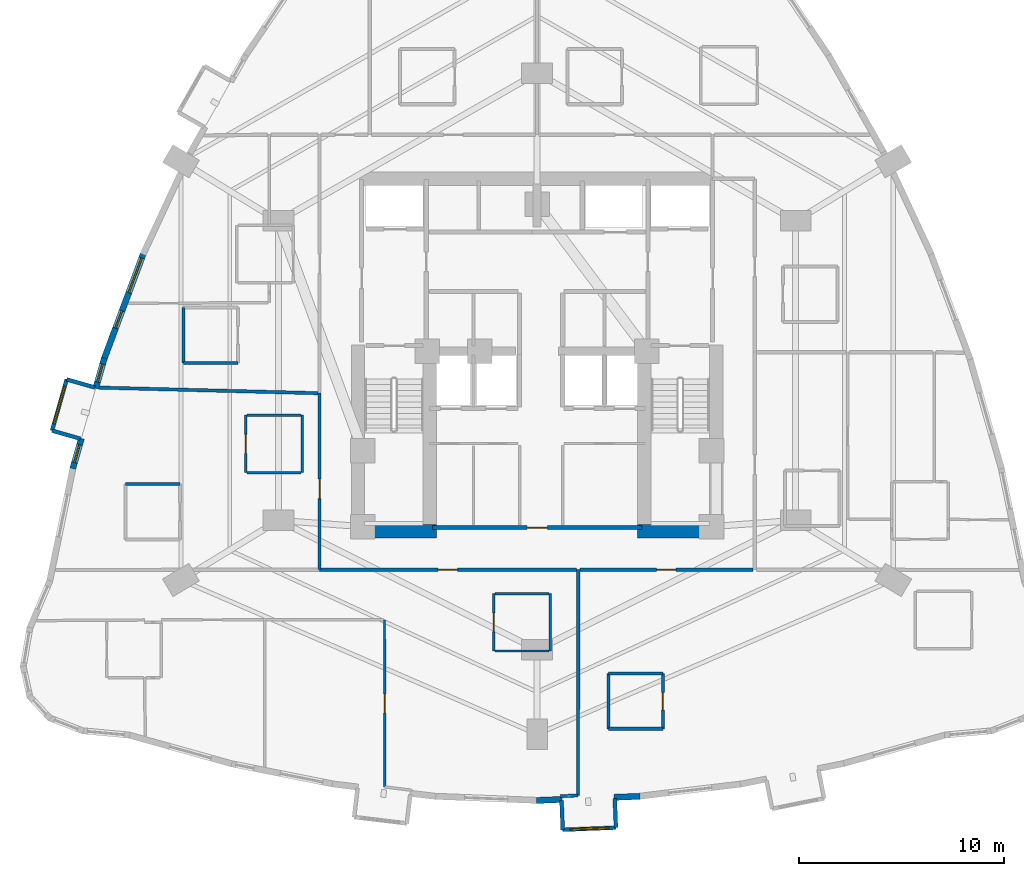
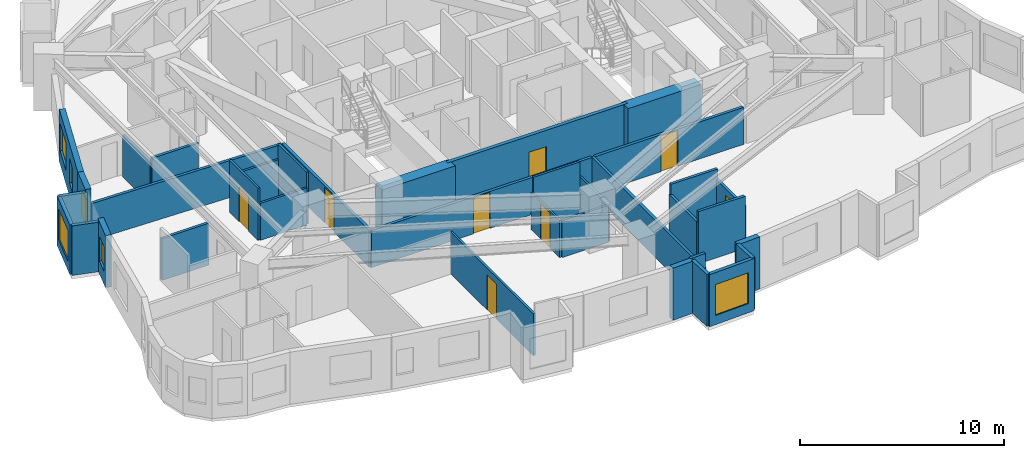
# One storey, part 9 of 15: 36 walls, 8 doors, 6 windows, 14 openings.
"""IFC4 building model written with IfcOpenShell, lengths in metres."""

from ifc_helpers import new_model, si_unit, direction, frame, frame_2d, origin, place, context, subcontext, project, spatial, rectangle, extrude, material, layer, layer_set, type_object, element, fill, save


model = new_model("IFC4")

# Units and contexts
model_context = context("Model", 3, precision=1e-05, world=origin(), true_north=direction((0.0, 1.0)))
body_context = subcontext(model_context, "Body", "Model", "MODEL_VIEW")
ifc_project = project(units=[si_unit("LENGTHUNIT", "METRE"), si_unit("AREAUNIT", "SQUARE_METRE"), si_unit("VOLUMEUNIT", "CUBIC_METRE"), si_unit("PLANEANGLEUNIT", "RADIAN"), si_unit("MASSUNIT", "GRAM", prefix="KILO")], contexts=[model_context])

# Site, building, storey
site_placement = place(None, origin())
site = spatial("IfcSite", under=ifc_project, at=site_placement, CompositionType="ELEMENT")
building_placement = place(site_placement, origin())
building = spatial("IfcBuilding", under=site, at=building_placement, Name="Miruveldt Soraemaru", CompositionType="ELEMENT")
storey_placement = place(building_placement, frame((0.0, 0.0, 36.0)))
storey = spatial("IfcBuildingStorey", under=building, at=storey_placement, Name="L09", CompositionType="ELEMENT", Elevation=36.0)

# Walls
ifc_material_1 = material(Name="White powder-coated aluminium EN AW-6060 T6", Category="aluminium")
ifc_layer_1 = layer(ifc_material_1, 0.18994140625, Name="White powder-coated aluminium EN AW-6060 T6", Category="aluminium")
ifc_layer_set_1 = layer_set([ifc_layer_1], Name="White powder-coated aluminium EN AW-6060 T6")
wall_type_1 = type_object("IfcWallType", Name="WALL-BAY-ALU190", PredefinedType="SOLIDWALL", material=ifc_layer_set_1)
wall_1_placement = place(storey_placement, frame((22.44482421875, 42.28369140625, 0.0), z_axis=(0.0, 0.0, 1.0), x_axis=(-0.961407497968, 0.27512837522, 0.0)))
element("IfcWall", 1, at=wall_1_placement, inside=storey, type_object=wall_type_1, Name="L09 Bay Window Side Cheek 3L", PredefinedType="SOLIDWALL", context=body_context, shape_type="SweptSolid", body=[
    extrude(rectangle(XDim=1.425048828125, YDim=0.18994140625, at=frame_2d((0.71240234375, 0.0))), origin(), (0.0, 0.0, 1.0), 2.97509765625),
])
wall_2_placement = place(storey_placement, frame((20.35986328125, 40.17578125, 0.0), z_axis=(0.0, 0.0, 1.0), x_axis=(0.961439844578, -0.275015318223, 0.0)))
element("IfcWall", 2, at=wall_2_placement, inside=storey, type_object=wall_type_1, Name="L09 Bay Window Side Cheek 3R", PredefinedType="SOLIDWALL", context=body_context, shape_type="SweptSolid", body=[
    extrude(rectangle(XDim=1.4248046875, YDim=0.18994140625, at=frame_2d((0.71240234375, 0.0))), origin(), (0.0, 0.0, 1.0), 2.97509765625),
])

# Wall, opening, window
wall_3_placement = place(storey_placement, frame((21.07470703125, 42.67578125, 0.0), z_axis=(0.0, 0.0, 1.0), x_axis=(-0.274919538046, -0.961467236883, 0.0)))
wall_3 = element("IfcWall", 3, at=wall_3_placement, inside=storey, type_object=wall_type_1, Name="L09 Bay Window Front Frame 3", PredefinedType="SOLIDWALL", context=body_context, shape_type="SweptSolid", body=[
    extrude(rectangle(XDim=2.60009765625, YDim=0.18994140625, at=frame_2d((1.300048828125, 0.0))), origin(), (0.0, 0.0, 1.0), 2.97509765625),
])
opening_1_placement = place(wall_3_placement, frame((0.35009765625, 0.0, 0.550048828125)))
opening_1 = element("IfcOpeningElement", 4, at=opening_1_placement, cuts=wall_3, Name="Opening WN-6", PredefinedType="OPENING", context=body_context, shape_type="SweptSolid", body=[
    extrude(rectangle(XDim=1.89990234375, YDim=1.85009765625, at=frame_2d((0.949951171875, 0.925048828125))), frame((0.0, 0.10498046875, 0.0), z_axis=(0.0, -1.0, 0.0), x_axis=(1.0, 0.0, 0.0)), (0.0, 0.0, 1.0), 0.2099609375),
])
ifc_material_2 = material(Name="Triple low-e insulated glazing", Category="glass")
window_type_1 = type_object("IfcWindowType", Name="WIN-BAYW-1900x1850", PartitioningType="SINGLE_PANEL", PredefinedType="WINDOW", material=ifc_material_2)
window_1_placement = place(opening_1_placement, origin())
window_1 = element("IfcWindow", 5, at=window_1_placement, inside=storey, type_object=window_type_1, Name="L09 Projecting Bay Window 3", OverallHeight=1.85009765625, OverallWidth=1.89990234375, PartitioningType="SINGLE_PANEL", PredefinedType="WINDOW", context=body_context, shape_type="SweptSolid", body=[
    extrude(rectangle(XDim=1.89990234375, YDim=1.85009765625, at=frame_2d((0.949951171875, 0.925048828125))), frame((0.0, 0.030029296875, 0.0), z_axis=(0.0, -1.0, 0.0), x_axis=(1.0, 0.0, 0.0)), (0.0, 0.0, 1.0), 0.06005859375),
])
fill(opening_1, window_1)

# Walls
for number, where, z_axis, x_axis, name in (
    (6, (45.189453125, 22.14794921875, 0.0), (0.0, 0.0, 1.0), (0.039920142234, -0.999202873417, 0.0), "L09 Bay Window Side Cheek 5L"),
    (7, (47.84423828125, 20.827880859375, 0.0), (0.0, 0.0, 1.0), (-0.039920142234, 0.999202873417, 0.0), "L09 Bay Window Side Cheek 5R"),
):
    element("IfcWall", number, at=place(storey_placement, frame(where, z_axis=z_axis, x_axis=x_axis)), inside=storey, type_object=wall_type_1, Name=name, PredefinedType="SOLIDWALL", context=body_context, shape_type="SweptSolid", body=[
        extrude(rectangle(XDim=1.425048828125, YDim=0.18994140625, at=frame_2d((0.71240234375, 0.0))), origin(), (0.0, 0.0, 1.0), 3.125),
    ])

# Wall, opening, window
wall_4_placement = place(storey_placement, frame((45.246337890625, 20.72412109375, 0.0), z_axis=(0.0, 0.0, 1.0), x_axis=(0.999203356953, 0.039908037469, 0.0)))
wall_4 = element("IfcWall", 8, at=wall_4_placement, inside=storey, type_object=wall_type_1, Name="L09 Bay Window Front Frame 5", PredefinedType="SOLIDWALL", context=body_context, shape_type="SweptSolid", body=[
    extrude(rectangle(XDim=2.599853515625, YDim=0.18994140625, at=frame_2d((1.2998046875, 0.0))), origin(), (0.0, 0.0, 1.0), 3.125),
])
opening_2_placement = place(wall_4_placement, frame((0.35009765625, 0.0, 0.550048828125)))
opening_2 = element("IfcOpeningElement", 9, at=opening_2_placement, cuts=wall_4, Name="Opening WN-6", PredefinedType="OPENING", context=body_context, shape_type="SweptSolid", body=[
    extrude(rectangle(XDim=1.89990234375, YDim=1.85009765625, at=frame_2d((0.949951171875, 0.925048828125))), frame((0.0, 0.10498046875, 0.0), z_axis=(0.0, -1.0, 0.0), x_axis=(1.0, 0.0, 0.0)), (0.0, 0.0, 1.0), 0.2099609375),
])
window_2_placement = place(opening_2_placement, origin())
window_2 = element("IfcWindow", 10, at=window_2_placement, inside=storey, type_object=window_type_1, Name="L09 Projecting Bay Window 5", OverallHeight=1.85009765625, OverallWidth=1.89990234375, PartitioningType="SINGLE_PANEL", PredefinedType="WINDOW", context=body_context, shape_type="SweptSolid", body=[
    extrude(rectangle(XDim=1.89990234375, YDim=1.85009765625, at=frame_2d((0.949951171875, 0.925048828125))), frame((0.0, 0.030029296875, 0.0), z_axis=(0.0, -1.0, 0.0), x_axis=(1.0, 0.0, 0.0)), (0.0, 0.0, 1.0), 0.06005859375),
])
fill(opening_2, window_2)

# Walls
ifc_material_3 = material(Name="Concrete C80/95 (80 MPa)", Category="concrete")
ifc_layer_2 = layer(ifc_material_3, 0.64990234375, Name="Concrete C80/95 (80 MPa)", Category="concrete")
ifc_layer_set_2 = layer_set([ifc_layer_2], Name="Concrete C80/95 (80 MPa)")
wall_type_2 = type_object("IfcWallType", Name="WALL-CW-650", PredefinedType="SHEAR", material=ifc_layer_set_2)
for number, where, z_axis, x_axis, name in (
    (11, (34.949951171875, 35.27490234375, 0.0), (0.0, 0.0, 1.0), (1.0, 0.0, 0.0), "L09 Central Core Shear Wall S1"),
    (12, (48.89990234375, 35.27490234375, 0.0), (0.0, 0.0, 1.0), (1.0, 0.0, 0.0), "L09 Central Core Shear Wall S2"),
):
    element("IfcWall", number, at=place(storey_placement, frame(where, z_axis=z_axis, x_axis=x_axis)), inside=storey, type_object=wall_type_2, Name=name, PredefinedType="SHEAR", context=body_context, shape_type="SweptSolid", body=[
        extrude(rectangle(XDim=4.150146484375, YDim=0.64990234375, at=frame_2d((2.0751953125, 0.0))), origin(), (0.0, 0.0, 1.0), 3.125),
    ])

# Wall, openings, windows
ifc_material_4 = material(Name="Precast concrete C45/55 (45 MPa)", Category="concrete")
ifc_layer_3 = layer(ifc_material_4, 0.300048828125, Name="Precast concrete C45/55 (45 MPa)", Category="concrete")
ifc_layer_set_3 = layer_set([ifc_layer_3], Name="Precast concrete C45/55 (45 MPa)")
wall_type_3 = type_object("IfcWallType", Name="WALL-EXT-PC300", PredefinedType="SOLIDWALL", material=ifc_layer_set_3)
wall_5_placement = place(storey_placement, frame((24.820556640625, 48.832763671875, 0.0), z_axis=(0.0, 0.0, 1.0), x_axis=(-0.349000413077, -0.93712257025, 0.0)))
wall_5 = element("IfcWall", 13, at=wall_5_placement, inside=storey, type_object=wall_type_3, Name="L09 Precast Concrete Facade Wall 12", PredefinedType="SOLIDWALL", context=body_context, shape_type="SweptSolid", body=[
    extrude(rectangle(XDim=5.53466796875, YDim=0.300048828125, at=frame_2d((2.767333984375, 0.0))), origin(), (0.0, 0.0, 1.0), 3.125),
])
opening_3_placement = place(wall_5_placement, frame((0.258056640625, 0.0, 0.800048828125)))
opening_3 = element("IfcOpeningElement", 14, at=opening_3_placement, cuts=wall_5, Name="Opening WN-2", PredefinedType="OPENING", context=body_context, shape_type="SweptSolid", body=[
    extrude(rectangle(XDim=1.800048828125, YDim=1.64990234375, at=frame_2d((0.89990234375, 0.824951171875))), frame((0.0, 0.16015625, 0.0), z_axis=(0.0, -1.0, 0.0), x_axis=(1.0, 0.0, 0.0)), (0.0, 0.0, 1.0), 0.320068359375),
])
opening_4_placement = place(wall_5_placement, frame((3.006103515625, 0.0, 0.780029296875)))
opening_4 = element("IfcOpeningElement", 15, at=opening_4_placement, cuts=wall_5, Name="Opening WN-7", PredefinedType="OPENING", context=body_context, shape_type="SweptSolid", body=[
    extrude(rectangle(XDim=0.89990234375, YDim=1.5, at=frame_2d((0.449951171875, 0.75))), frame((0.0, 0.16015625, 0.0), z_axis=(0.0, -1.0, 0.0), x_axis=(1.0, 0.0, 0.0)), (0.0, 0.0, 1.0), 0.320068359375),
])
window_type_2 = type_object("IfcWindowType", Name="WIN-PUNCH-1800x1650", PartitioningType="SINGLE_PANEL", PredefinedType="WINDOW", material=ifc_material_2)
window_3_placement = place(opening_3_placement, origin())
window_3 = element("IfcWindow", 16, at=window_3_placement, inside=storey, type_object=window_type_2, Name="L09 Punched Triple-Glazed Window 12.1", OverallHeight=1.64990234375, OverallWidth=1.800048828125, PartitioningType="SINGLE_PANEL", PredefinedType="WINDOW", context=body_context, shape_type="SweptSolid", body=[
    extrude(rectangle(XDim=1.800048828125, YDim=1.64990234375, at=frame_2d((0.89990234375, 0.824951171875))), frame((0.0, 0.030029296875, 0.0), z_axis=(0.0, -1.0, 0.0), x_axis=(1.0, 0.0, 0.0)), (0.0, 0.0, 1.0), 0.06005859375),
])
fill(opening_3, window_3)
window_type_3 = type_object("IfcWindowType", Name="WIN-PUNCH-900x1500", PartitioningType="SINGLE_PANEL", PredefinedType="WINDOW", material=ifc_material_2)
window_4_placement = place(opening_4_placement, origin())
window_4 = element("IfcWindow", 17, at=window_4_placement, inside=storey, type_object=window_type_3, Name="L09 Punched Triple-Glazed Window 12.2", OverallHeight=1.5, OverallWidth=0.89990234375, PartitioningType="SINGLE_PANEL", PredefinedType="WINDOW", context=body_context, shape_type="SweptSolid", body=[
    extrude(rectangle(XDim=0.89990234375, YDim=1.5, at=frame_2d((0.449951171875, 0.75))), frame((0.0, 0.030029296875, 0.0), z_axis=(0.0, -1.0, 0.0), x_axis=(1.0, 0.0, 0.0)), (0.0, 0.0, 1.0), 0.06005859375),
])
fill(opening_4, window_4)

# Wall, opening, window
wall_6_placement = place(storey_placement, frame((22.91064453125, 43.71240234375, 0.0), z_axis=(0.0, 0.0, 1.0), x_axis=(-0.274994833253, -0.961445703971, 0.0)))
wall_6 = element("IfcWall", 18, at=wall_6_placement, inside=storey, type_object=wall_type_3, Name="L09 Precast Pier Wall 13A", PredefinedType="SOLIDWALL", context=body_context, shape_type="SweptSolid", body=[
    extrude(rectangle(XDim=1.531494140625, YDim=0.300048828125, at=frame_2d((0.765625, 0.0))), origin(), (0.0, 0.0, 1.0), 3.125),
])
opening_5_placement = place(wall_6_placement, frame((0.30908203125, 0.0, 0.780029296875)))
opening_5 = element("IfcOpeningElement", 19, at=opening_5_placement, cuts=wall_6, Name="Opening WN-7", PredefinedType="OPENING", context=body_context, shape_type="SweptSolid", body=[
    extrude(rectangle(XDim=0.89990234375, YDim=1.5, at=frame_2d((0.449951171875, 0.75))), frame((0.0, 0.16015625, 0.0), z_axis=(0.0, -1.0, 0.0), x_axis=(1.0, 0.0, 0.0)), (0.0, 0.0, 1.0), 0.320068359375),
])
window_5_placement = place(opening_5_placement, origin())
window_5 = element("IfcWindow", 20, at=window_5_placement, inside=storey, type_object=window_type_3, Name="L09 Punched Triple-Glazed Window 13A.1", OverallHeight=1.5, OverallWidth=0.89990234375, PartitioningType="SINGLE_PANEL", PredefinedType="WINDOW", context=body_context, shape_type="SweptSolid", body=[
    extrude(rectangle(XDim=0.89990234375, YDim=1.5, at=frame_2d((0.449951171875, 0.75))), frame((0.0, 0.030029296875, 0.0), z_axis=(0.0, -1.0, 0.0), x_axis=(1.0, 0.0, 0.0)), (0.0, 0.0, 1.0), 0.06005859375),
])
fill(opening_5, window_5)

wall_7_placement = place(storey_placement, frame((21.791015625, 39.797607421875, 0.0), z_axis=(0.0, 0.0, 1.0), x_axis=(-0.274994833253, -0.961445703971, 0.0)))
wall_7 = element("IfcWall", 21, at=wall_7_placement, inside=storey, type_object=wall_type_3, Name="L09 Precast Pier Wall 13B", PredefinedType="SOLIDWALL", context=body_context, shape_type="SweptSolid", body=[
    extrude(rectangle(XDim=1.531494140625, YDim=0.300048828125, at=frame_2d((0.765625, 0.0))), origin(), (0.0, 0.0, 1.0), 3.125),
])
opening_6_placement = place(wall_7_placement, frame((0.31591796875, 0.0, 0.780029296875)))
opening_6 = element("IfcOpeningElement", 22, at=opening_6_placement, cuts=wall_7, Name="Opening WN-7", PredefinedType="OPENING", context=body_context, shape_type="SweptSolid", body=[
    extrude(rectangle(XDim=0.89990234375, YDim=1.5, at=frame_2d((0.449951171875, 0.75))), frame((0.0, 0.16015625, 0.0), z_axis=(0.0, -1.0, 0.0), x_axis=(1.0, 0.0, 0.0)), (0.0, 0.0, 1.0), 0.320068359375),
])
window_6_placement = place(opening_6_placement, origin())
window_6 = element("IfcWindow", 23, at=window_6_placement, inside=storey, type_object=window_type_3, Name="L09 Punched Triple-Glazed Window 13B.1", OverallHeight=1.5, OverallWidth=0.89990234375, PartitioningType="SINGLE_PANEL", PredefinedType="WINDOW", context=body_context, shape_type="SweptSolid", body=[
    extrude(rectangle(XDim=0.89990234375, YDim=1.5, at=frame_2d((0.449951171875, 0.75))), frame((0.0, 0.030029296875, 0.0), z_axis=(0.0, -1.0, 0.0), x_axis=(1.0, 0.0, 0.0)), (0.0, 0.0, 1.0), 0.06005859375),
])
fill(opening_6, window_6)

# Walls
for number, where, z_axis, x_axis, name in (
    (24, (43.965087890625, 22.154052734375, 0.0), (0.0, 0.0, 1.0), (0.999202203057, 0.039936917845, 0.0), "L09 Precast Pier Wall 25A"),
    (25, (47.755126953125, 22.3056640625, 0.0), (0.0, 0.0, 1.0), (0.999202203057, 0.039936917845, 0.0), "L09 Precast Pier Wall 25B"),
):
    element("IfcWall", number, at=place(storey_placement, frame(where, z_axis=z_axis, x_axis=x_axis)), inside=storey, type_object=wall_type_3, Name=name, PredefinedType="SOLIDWALL", context=body_context, shape_type="SweptSolid", body=[
        extrude(rectangle(XDim=1.253173828125, YDim=0.300048828125, at=frame_2d((0.62646484375, 0.0))), origin(), (0.0, 0.0, 1.0), 3.125),
    ])

# Wall, opening, door
ifc_material_5 = material(Name="Gypsum plasterboard lining", Category="gypsum")
ifc_layer_4 = layer(ifc_material_5, 0.1201171875, Name="Gypsum plasterboard lining", Category="gypsum")
ifc_layer_set_4 = layer_set([ifc_layer_4], Name="Gypsum plasterboard lining")
wall_type_4 = type_object("IfcWallType", Name="WALL-INT-P120", PredefinedType="PARTITIONING", material=ifc_layer_set_4)
wall_8_placement = place(storey_placement, frame((36.56298828125, 30.949951171875, 0.0), z_axis=(0.0, 0.0, 1.0), x_axis=(0.001230454337, -0.999999242991, 0.0)))
wall_8 = element("IfcWall", 26, at=wall_8_placement, inside=storey, type_object=wall_type_4, Name="L09 Partition Wall 95", PredefinedType="PARTITIONING", context=body_context, shape_type="SweptSolid", body=[
    extrude(rectangle(XDim=8.135009765625, YDim=0.1201171875, at=frame_2d((4.0673828125, 0.0))), origin(), (0.0, 0.0, 1.0), 2.512939453125),
])
opening_7_placement = place(wall_8_placement, frame((3.60791015625, 0.0, 0.0)))
opening_7 = element("IfcOpeningElement", 27, at=opening_7_placement, cuts=wall_8, Name="Opening D3A", PredefinedType="OPENING", context=body_context, shape_type="SweptSolid", body=[
    extrude(rectangle(XDim=0.919921875, YDim=2.10009765625, at=frame_2d((0.4599609375, 1.050048828125))), frame((0.0, 0.070068359375, 0.0), z_axis=(0.0, -1.0, 0.0), x_axis=(1.0, 0.0, 0.0)), (0.0, 0.0, 1.0), 0.14013671875),
])
ifc_material_6 = material(Name="Anodised aluminium EN AW-6063 T6", Category="aluminium")
door_type_1 = type_object("IfcDoorType", Name="DOOR-INT-920", OperationType="NOTDEFINED", PredefinedType="DOOR", material=ifc_material_6)
door_1_placement = place(opening_7_placement, origin())
door_1 = element("IfcDoor", 28, at=door_1_placement, inside=storey, type_object=door_type_1, Name="L09 Unit 0908 BD3 Door", OperationType="SINGLE_SWING_RIGHT", OverallHeight=2.10009765625, OverallWidth=0.919921875, PredefinedType="DOOR", context=body_context, shape_type="SweptSolid", body=[
    extrude(rectangle(XDim=0.919921875, YDim=2.10009765625, at=frame_2d((0.4599609375, 1.050048828125))), frame((0.0, 0.02490234375, 0.0), z_axis=(0.0, -1.0, 0.0), x_axis=(1.0, 0.0, 0.0)), (0.0, 0.0, 1.0), 0.050048828125),
])
fill(opening_7, door_1)

wall_9_placement = place(storey_placement, frame((41.884033203125, 32.238037109375, 0.0), z_axis=(0.0, 0.0, 1.0), x_axis=(0.0, -1.0, 0.0)))
wall_9 = element("IfcWall", 29, at=wall_9_placement, inside=storey, type_object=wall_type_4, Name="L09 Partition Wall 87", PredefinedType="PARTITIONING", context=body_context, shape_type="SweptSolid", body=[
    extrude(rectangle(XDim=2.800048828125, YDim=0.1201171875, at=frame_2d((1.39990234375, 0.0))), origin(), (0.0, 0.0, 1.0), 2.219970703125),
])
opening_8_placement = place(wall_9_placement, frame((0.93994140625, 0.0, 0.0)))
opening_8 = element("IfcOpeningElement", 30, at=opening_8_placement, cuts=wall_9, Name="Opening D3A", PredefinedType="OPENING", context=body_context, shape_type="SweptSolid", body=[
    extrude(rectangle(XDim=0.919921875, YDim=2.10009765625, at=frame_2d((0.4599609375, 1.050048828125))), frame((0.0, 0.070068359375, 0.0), z_axis=(0.0, -1.0, 0.0), x_axis=(1.0, 0.0, 0.0)), (0.0, 0.0, 1.0), 0.14013671875),
])
door_2_placement = place(opening_8_placement, origin())
door_2 = element("IfcDoor", 31, at=door_2_placement, inside=storey, type_object=door_type_1, Name="L09 Unit 0908 KIT Door", OperationType="SINGLE_SWING_LEFT", OverallHeight=2.10009765625, OverallWidth=0.919921875, PredefinedType="DOOR", context=body_context, shape_type="SweptSolid", body=[
    extrude(rectangle(XDim=0.919921875, YDim=2.10009765625, at=frame_2d((0.4599609375, 1.050048828125))), frame((0.0, 0.02490234375, 0.0), z_axis=(0.0, -1.0, 0.0), x_axis=(1.0, 0.0, 0.0)), (0.0, 0.0, 1.0), 0.050048828125),
])
fill(opening_8, door_2)

wall_10_placement = place(storey_placement, frame((29.799072265625, 40.929931640625, 0.0), z_axis=(0.0, 0.0, 1.0), x_axis=(0.0, -1.0, 0.0)))
wall_10 = element("IfcWall", 32, at=wall_10_placement, inside=storey, type_object=wall_type_4, Name="L09 Partition Wall 61", PredefinedType="PARTITIONING", context=body_context, shape_type="SweptSolid", body=[
    extrude(rectangle(XDim=2.800048828125, YDim=0.1201171875, at=frame_2d((1.39990234375, 0.0))), origin(), (0.0, 0.0, 1.0), 3.125),
])
opening_9_placement = place(wall_10_placement, frame((0.93994140625, 0.0, 0.0)))
opening_9 = element("IfcOpeningElement", 33, at=opening_9_placement, cuts=wall_10, Name="Opening D3A", PredefinedType="OPENING", context=body_context, shape_type="SweptSolid", body=[
    extrude(rectangle(XDim=0.919921875, YDim=2.10009765625, at=frame_2d((0.4599609375, 1.050048828125))), frame((0.0, 0.070068359375, 0.0), z_axis=(0.0, -1.0, 0.0), x_axis=(1.0, 0.0, 0.0)), (0.0, 0.0, 1.0), 0.14013671875),
])
door_3_placement = place(opening_9_placement, origin())
door_3 = element("IfcDoor", 34, at=door_3_placement, inside=storey, type_object=door_type_1, Name="L09 Unit CL05 KIT Door", OperationType="SINGLE_SWING_RIGHT", OverallHeight=2.10009765625, OverallWidth=0.919921875, PredefinedType="DOOR", context=body_context, shape_type="SweptSolid", body=[
    extrude(rectangle(XDim=0.919921875, YDim=2.10009765625, at=frame_2d((0.4599609375, 1.050048828125))), frame((0.0, 0.02490234375, 0.0), z_axis=(0.0, -1.0, 0.0), x_axis=(1.0, 0.0, 0.0)), (0.0, 0.0, 1.0), 0.050048828125),
])
fill(opening_9, door_3)

# Walls
wall_11_placement = place(storey_placement, frame((44.634033203125, 29.43798828125, 0.0), z_axis=(0.0, 0.0, 1.0), x_axis=(0.0, 1.0, 0.0)))
element("IfcWall", 35, at=wall_11_placement, inside=storey, type_object=wall_type_4, Name="L09 Partition Wall 85", PredefinedType="PARTITIONING", context=body_context, shape_type="SweptSolid", body=[
    extrude(rectangle(XDim=2.800048828125, YDim=0.1201171875, at=frame_2d((1.39990234375, 0.0))), origin(), (0.0, 0.0, 1.0), 2.219970703125),
])
wall_12_placement = place(storey_placement, frame((32.549072265625, 38.1298828125, 0.0), z_axis=(0.0, 0.0, 1.0), x_axis=(0.0, 1.0, 0.0)))
element("IfcWall", 36, at=wall_12_placement, inside=storey, type_object=wall_type_4, Name="L09 Partition Wall 59", PredefinedType="PARTITIONING", context=body_context, shape_type="SweptSolid", body=[
    extrude(rectangle(XDim=2.800048828125, YDim=0.1201171875, at=frame_2d((1.39990234375, 0.0))), origin(), (0.0, 0.0, 1.0), 3.125),
])
for number, where, z_axis, x_axis, name in (
    (37, (32.489013671875, 40.929931640625, 0.0), (0.0, 0.0, 1.0), (-1.0, 0.0, 0.0), "L09 Partition Wall 60"),
    (38, (29.85888671875, 38.1298828125, 0.0), (0.0, 0.0, 1.0), (1.0, 0.0, 0.0), "L09 Partition Wall 62"),
):
    element("IfcWall", number, at=place(storey_placement, frame(where, z_axis=z_axis, x_axis=x_axis)), inside=storey, type_object=wall_type_4, Name=name, PredefinedType="PARTITIONING", context=body_context, shape_type="SweptSolid", body=[
        extrude(rectangle(XDim=2.630126953125, YDim=0.1201171875, at=frame_2d((1.31494140625, 0.0))), origin(), (0.0, 0.0, 1.0), 2.219970703125),
    ])
wall_13_placement = place(storey_placement, frame((44.573974609375, 32.238037109375, 0.0), z_axis=(0.0, 0.0, 1.0), x_axis=(-1.0, 0.0, 0.0)))
element("IfcWall", 39, at=wall_13_placement, inside=storey, type_object=wall_type_4, Name="L09 Partition Wall 86", PredefinedType="PARTITIONING", context=body_context, shape_type="SweptSolid", body=[
    extrude(rectangle(XDim=2.6298828125, YDim=0.1201171875, at=frame_2d((1.31494140625, 0.0))), origin(), (0.0, 0.0, 1.0), 3.125),
])
wall_14_placement = place(storey_placement, frame((41.944091796875, 29.43798828125, 0.0), z_axis=(0.0, 0.0, 1.0), x_axis=(1.0, 0.0, 0.0)))
element("IfcWall", 40, at=wall_14_placement, inside=storey, type_object=wall_type_4, Name="L09 Partition Wall 88", PredefinedType="PARTITIONING", context=body_context, shape_type="SweptSolid", body=[
    extrude(rectangle(XDim=2.6298828125, YDim=0.1201171875, at=frame_2d((1.31494140625, 0.0))), origin(), (0.0, 0.0, 1.0), 2.219970703125),
])

# Wall, opening, door
ifc_layer_5 = layer(ifc_material_5, 0.14990234375, Name="Gypsum plasterboard lining", Category="gypsum")
ifc_layer_set_5 = layer_set([ifc_layer_5], Name="Gypsum plasterboard lining")
wall_type_5 = type_object("IfcWallType", Name="WALL-INT-PLUMB", PredefinedType="PLUMBINGWALL", material=ifc_layer_set_5)
wall_15_placement = place(storey_placement, frame((50.1298828125, 25.64794921875, 0.0), z_axis=(0.0, 0.0, 1.0), x_axis=(0.0, 1.0, 0.0)))
wall_15 = element("IfcWall", 41, at=wall_15_placement, inside=storey, type_object=wall_type_5, Name="L09 Partition Wall 99", PredefinedType="PLUMBINGWALL", context=body_context, shape_type="SweptSolid", body=[
    extrude(rectangle(XDim=2.699951171875, YDim=0.14990234375, at=frame_2d((1.35009765625, 0.0))), origin(), (0.0, 0.0, 1.0), 2.512939453125),
])
opening_10_placement = place(wall_15_placement, frame((0.909912109375, 0.0, 0.0)))
opening_10 = element("IfcOpeningElement", 42, at=opening_10_placement, cuts=wall_15, Name="Opening FD3", PredefinedType="OPENING", context=body_context, shape_type="SweptSolid", body=[
    extrude(rectangle(XDim=0.85009765625, YDim=2.10009765625, at=frame_2d((0.425048828125, 1.050048828125))), frame((0.0, 0.0849609375, 0.0), z_axis=(0.0, -1.0, 0.0), x_axis=(1.0, 0.0, 0.0)), (0.0, 0.0, 1.0), 0.169921875),
])
door_type_2 = type_object("IfcDoorType", Name="DOOR-FD3-850", OperationType="NOTDEFINED", PredefinedType="DOOR", material=ifc_material_6)
door_4_placement = place(opening_10_placement, origin())
door_4 = element("IfcDoor", 43, at=door_4_placement, inside=storey, type_object=door_type_2, Name="L09 Unit CL09 BTH Door", OperationType="SINGLE_SWING_RIGHT", OverallHeight=2.10009765625, OverallWidth=0.85009765625, PredefinedType="DOOR", context=body_context, shape_type="SweptSolid", body=[
    extrude(rectangle(XDim=0.85009765625, YDim=2.10009765625, at=frame_2d((0.425048828125, 1.050048828125))), frame((0.0, 0.02490234375, 0.0), z_axis=(0.0, -1.0, 0.0), x_axis=(1.0, 0.0, 0.0)), (0.0, 0.0, 1.0), 0.050048828125),
])
fill(opening_10, door_4)

# Walls
for number, where, z_axis, x_axis, name in (
    (44, (26.77197265625, 46.179931640625, 0.0), (0.0, 0.0, 1.0), (0.0, -1.0, 0.0), "L09 Partition Wall 43"),
    (45, (47.47998046875, 28.347900390625, 0.0), (0.0, 0.0, 1.0), (0.0, -1.0, 0.0), "L09 Partition Wall 101"),
):
    element("IfcWall", number, at=place(storey_placement, frame(where, z_axis=z_axis, x_axis=x_axis)), inside=storey, type_object=wall_type_5, Name=name, PredefinedType="PLUMBINGWALL", context=body_context, shape_type="SweptSolid", body=[
        extrude(rectangle(XDim=2.699951171875, YDim=0.14990234375, at=frame_2d((1.35009765625, 0.0))), origin(), (0.0, 0.0, 1.0), 2.512939453125),
    ])
for number, where, z_axis, x_axis, name in (
    (46, (50.1298828125, 28.347900390625, 0.0), (0.0, 0.0, 1.0), (-1.0, 0.0, 0.0), "L09 Partition Wall 100"),
    (47, (47.47998046875, 25.64794921875, 0.0), (0.0, 0.0, 1.0), (1.0, 0.0, 0.0), "L09 Partition Wall 102"),
):
    element("IfcWall", number, at=place(storey_placement, frame(where, z_axis=z_axis, x_axis=x_axis)), inside=storey, type_object=wall_type_5, Name=name, PredefinedType="PLUMBINGWALL", context=body_context, shape_type="SweptSolid", body=[
        extrude(rectangle(XDim=2.64990234375, YDim=0.14990234375, at=frame_2d((1.324951171875, 0.0))), origin(), (0.0, 0.0, 1.0), 3.125),
    ])
wall_16_placement = place(storey_placement, frame((26.77197265625, 43.47998046875, 0.0), z_axis=(0.0, 0.0, 1.0), x_axis=(1.0, 0.0, 0.0)))
element("IfcWall", 48, at=wall_16_placement, inside=storey, type_object=wall_type_5, Name="L09 Partition Wall 44", PredefinedType="PLUMBINGWALL", context=body_context, shape_type="SweptSolid", body=[
    extrude(rectangle(XDim=2.650146484375, YDim=0.14990234375, at=frame_2d((1.3251953125, 0.0))), origin(), (0.0, 0.0, 1.0), 2.762939453125),
])
wall_17_placement = place(storey_placement, frame((26.59912109375, 37.580078125, 0.0), z_axis=(0.0, 0.0, 1.0), x_axis=(-1.0, 0.0, 0.0)))
element("IfcWall", 49, at=wall_17_placement, inside=storey, type_object=wall_type_5, Name="L09 Partition Wall 56", PredefinedType="PLUMBINGWALL", context=body_context, shape_type="SweptSolid", body=[
    extrude(rectangle(XDim=2.650146484375, YDim=0.14990234375, at=frame_2d((1.3251953125, 0.0))), origin(), (0.0, 0.0, 1.0), 2.512939453125),
])

# Wall, opening, door
ifc_material_7 = material(Name="Concrete C40/50 (40 MPa)", Category="concrete")
ifc_layer_6 = layer(ifc_material_7, 0.159912109375, Name="Concrete C40/50 (40 MPa)", Category="concrete")
ifc_layer_set_6 = layer_set([ifc_layer_6], Name="Concrete C40/50 (40 MPa)")
wall_type_6 = type_object("IfcWallType", Name="WALL-INT-RC160", PredefinedType="SOLIDWALL", material=ifc_layer_set_6)
wall_18_placement = place(storey_placement, frame((33.389892578125, 33.39990234375, 0.0), z_axis=(0.0, 0.0, 1.0), x_axis=(1.0, 0.0, 0.0)))
wall_18 = element("IfcWall", 50, at=wall_18_placement, inside=storey, type_object=wall_type_6, Name="L09 Partition Wall 10", PredefinedType="SOLIDWALL", context=body_context, shape_type="SweptSolid", body=[
    extrude(rectangle(XDim=12.527099609375, YDim=0.159912109375, at=frame_2d((6.263671875, 0.0))), origin(), (0.0, 0.0, 1.0), 2.219970703125),
])
opening_11_placement = place(wall_18_placement, frame((5.7890625, 0.0, 0.0)))
opening_11 = element("IfcOpeningElement", 51, at=opening_11_placement, cuts=wall_18, Name="Opening FD2", PredefinedType="OPENING", context=body_context, shape_type="SweptSolid", body=[
    extrude(rectangle(XDim=0.949951171875, YDim=2.14990234375, at=frame_2d((0.47509765625, 1.074951171875))), frame((0.0, 0.08984375, 0.0), z_axis=(0.0, -1.0, 0.0), x_axis=(1.0, 0.0, 0.0)), (0.0, 0.0, 1.0), 0.179931640625),
])
door_type_3 = type_object("IfcDoorType", Name="DOOR-FD2-950", OperationType="NOTDEFINED", PredefinedType="DOOR", material=ifc_material_6)
door_5_placement = place(opening_11_placement, origin())
door_5 = element("IfcDoor", 52, at=door_5_placement, inside=storey, type_object=door_type_3, Name="L09 Unit 0908 Entrance Fire Door", OperationType="SINGLE_SWING_RIGHT", OverallHeight=2.14990234375, OverallWidth=0.949951171875, PredefinedType="DOOR", context=body_context, shape_type="SweptSolid", body=[
    extrude(rectangle(XDim=0.949951171875, YDim=2.14990234375, at=frame_2d((0.47509765625, 1.074951171875))), frame((0.0, 0.02490234375, 0.0), z_axis=(0.0, -1.0, 0.0), x_axis=(1.0, 0.0, 0.0)), (0.0, 0.0, 1.0), 0.050048828125),
])
fill(opening_11, door_5)

wall_19_placement = place(storey_placement, frame((33.39990234375, 42.0, 0.0), z_axis=(0.0, 0.0, 1.0), x_axis=(0.0, -1.0, 0.0)))
wall_19 = element("IfcWall", 53, at=wall_19_placement, inside=storey, type_object=wall_type_6, Name="L09 Partition Wall 5", PredefinedType="SOLIDWALL", context=body_context, shape_type="SweptSolid", body=[
    extrude(rectangle(XDim=8.60009765625, YDim=0.159912109375, at=frame_2d((4.300048828125, 0.0))), origin(), (0.0, 0.0, 1.0), 2.219970703125),
])
opening_12_placement = place(wall_19_placement, frame((4.18505859375, 0.0, 0.0)))
opening_12 = element("IfcOpeningElement", 54, at=opening_12_placement, cuts=wall_19, Name="Opening FD2", PredefinedType="OPENING", context=body_context, shape_type="SweptSolid", body=[
    extrude(rectangle(XDim=0.949951171875, YDim=2.14990234375, at=frame_2d((0.47509765625, 1.074951171875))), frame((0.0, 0.08984375, 0.0), z_axis=(0.0, -1.0, 0.0), x_axis=(1.0, 0.0, 0.0)), (0.0, 0.0, 1.0), 0.179931640625),
])
door_6_placement = place(opening_12_placement, origin())
door_6 = element("IfcDoor", 55, at=door_6_placement, inside=storey, type_object=door_type_3, Name="L09 Unit CL05 Entrance Fire Door", OperationType="SINGLE_SWING_RIGHT", OverallHeight=2.14990234375, OverallWidth=0.949951171875, PredefinedType="DOOR", context=body_context, shape_type="SweptSolid", body=[
    extrude(rectangle(XDim=0.949951171875, YDim=2.14990234375, at=frame_2d((0.47509765625, 1.074951171875))), frame((0.0, 0.02490234375, 0.0), z_axis=(0.0, -1.0, 0.0), x_axis=(1.0, 0.0, 0.0)), (0.0, 0.0, 1.0), 0.050048828125),
])
fill(opening_12, door_6)

wall_20_placement = place(storey_placement, frame((46.080078125, 33.39990234375, 0.0), z_axis=(0.0, 0.0, 1.0), x_axis=(1.0, 0.0, 0.0)))
wall_20 = element("IfcWall", 56, at=wall_20_placement, inside=storey, type_object=wall_type_6, Name="L09 Partition Wall 11", PredefinedType="SOLIDWALL", context=body_context, shape_type="SweptSolid", body=[
    extrude(rectangle(XDim=8.43994140625, YDim=0.159912109375, at=frame_2d((4.219970703125, 0.0))), origin(), (0.0, 0.0, 1.0), 2.219970703125),
])
opening_13_placement = place(wall_20_placement, frame((3.7451171875, 0.0, 0.0)))
opening_13 = element("IfcOpeningElement", 57, at=opening_13_placement, cuts=wall_20, Name="Opening FD2", PredefinedType="OPENING", context=body_context, shape_type="SweptSolid", body=[
    extrude(rectangle(XDim=0.949951171875, YDim=2.14990234375, at=frame_2d((0.47509765625, 1.074951171875))), frame((0.0, 0.08984375, 0.0), z_axis=(0.0, -1.0, 0.0), x_axis=(1.0, 0.0, 0.0)), (0.0, 0.0, 1.0), 0.179931640625),
])
door_7_placement = place(opening_13_placement, origin())
door_7 = element("IfcDoor", 58, at=door_7_placement, inside=storey, type_object=door_type_3, Name="L09 Unit CL09 Entrance Fire Door", OperationType="SINGLE_SWING_LEFT", OverallHeight=2.14990234375, OverallWidth=0.949951171875, PredefinedType="DOOR", context=body_context, shape_type="SweptSolid", body=[
    extrude(rectangle(XDim=0.949951171875, YDim=2.14990234375, at=frame_2d((0.47509765625, 1.074951171875))), frame((0.0, 0.02490234375, 0.0), z_axis=(0.0, -1.0, 0.0), x_axis=(1.0, 0.0, 0.0)), (0.0, 0.0, 1.0), 0.050048828125),
])
fill(opening_13, door_7)

# Walls
wall_21_placement = place(storey_placement, frame((45.9970703125, 22.39990234375, 0.0), z_axis=(0.0, 0.0, 1.0), x_axis=(0.000266335218, 0.999999964533, 0.0)))
element("IfcWall", 59, at=wall_21_placement, inside=storey, type_object=wall_type_6, Name="L09 Partition Wall 96", PredefinedType="SOLIDWALL", context=body_context, shape_type="SweptSolid", body=[
    extrude(rectangle(XDim=11.0, YDim=0.159912109375, at=frame_2d((5.5, 0.0))), origin(), (0.0, 0.0, 1.0), 2.219970703125),
])
wall_22_placement = place(storey_placement, frame((22.663330078125, 42.2734375, 0.0), z_axis=(0.0, 0.0, 1.0), x_axis=(0.999670979336, -0.025650206114, 0.0)))
element("IfcWall", 60, at=wall_22_placement, inside=storey, type_object=wall_type_6, Name="L09 Partition Wall 51", PredefinedType="SOLIDWALL", context=body_context, shape_type="SweptSolid", body=[
    extrude(rectangle(XDim=10.66015625, YDim=0.159912109375, at=frame_2d((5.330078125, 0.0))), origin(), (0.0, 0.0, 1.0), 2.219970703125),
])
wall_23_placement = place(storey_placement, frame((45.9970703125, 22.39990234375, 0.0), z_axis=(0.0, 0.0, 1.0), x_axis=(-0.998880840972, -0.047297627194, 0.0)))
element("IfcWall", 61, at=wall_23_placement, inside=storey, type_object=wall_type_6, Name="L09 Partition Closure Return 2", PredefinedType="SOLIDWALL", context=body_context, shape_type="SweptSolid", body=[
    extrude(rectangle(XDim=0.8671875, YDim=0.159912109375, at=frame_2d((0.43359375, 0.0))), origin(), (0.0, 0.0, 1.0), 3.125),
])

# Wall, opening, door
ifc_layer_7 = layer(ifc_material_7, 0.199951171875, Name="Concrete C40/50 (40 MPa)", Category="concrete")
ifc_layer_set_7 = layer_set([ifc_layer_7], Name="Concrete C40/50 (40 MPa)")
wall_type_7 = type_object("IfcWallType", Name="WALL-INT-RC200", PredefinedType="SOLIDWALL", material=ifc_layer_set_7)
wall_24_placement = place(storey_placement, frame((38.89990234375, 35.449951171875, 0.0), z_axis=(0.0, 0.0, 1.0), x_axis=(1.0, 0.0, 0.0)))
wall_24 = element("IfcWall", 62, at=wall_24_placement, inside=storey, type_object=wall_type_7, Name="L09 Core Compartment Wall CS-S", PredefinedType="SOLIDWALL", context=body_context, shape_type="SweptSolid", body=[
    extrude(rectangle(XDim=10.2001953125, YDim=0.199951171875, at=frame_2d((5.10009765625, 0.0))), origin(), (0.0, 0.0, 1.0), 3.125),
])
opening_14_placement = place(wall_24_placement, frame((4.60009765625, 0.0, 0.0)))
opening_14 = element("IfcOpeningElement", 63, at=opening_14_placement, cuts=wall_24, Name="Opening FD1", PredefinedType="OPENING", context=body_context, shape_type="SweptSolid", body=[
    extrude(rectangle(XDim=1.0, YDim=2.14990234375, at=frame_2d((0.5, 1.074951171875))), frame((0.0, 0.10986328125, 0.0), z_axis=(0.0, -1.0, 0.0), x_axis=(1.0, 0.0, 0.0)), (0.0, 0.0, 1.0), 0.219970703125),
])
door_type_4 = type_object("IfcDoorType", Name="DOOR-FD1-1000", OperationType="NOTDEFINED", PredefinedType="DOOR", material=ifc_material_6)
door_8_placement = place(opening_14_placement, origin())
door_8 = element("IfcDoor", 64, at=door_8_placement, inside=storey, type_object=door_type_4, Name="L09 Core South Lobby Fire Door", OperationType="SINGLE_SWING_LEFT", OverallHeight=2.14990234375, OverallWidth=1.0, PredefinedType="DOOR", context=body_context, shape_type="SweptSolid", body=[
    extrude(rectangle(XDim=1.0, YDim=2.14990234375, at=frame_2d((0.5, 1.074951171875))), frame((0.0, 0.02490234375, 0.0), z_axis=(0.0, -1.0, 0.0), x_axis=(1.0, 0.0, 0.0)), (0.0, 0.0, 1.0), 0.050048828125),
])
fill(opening_14, door_8)

save(model, "model.ifc")
